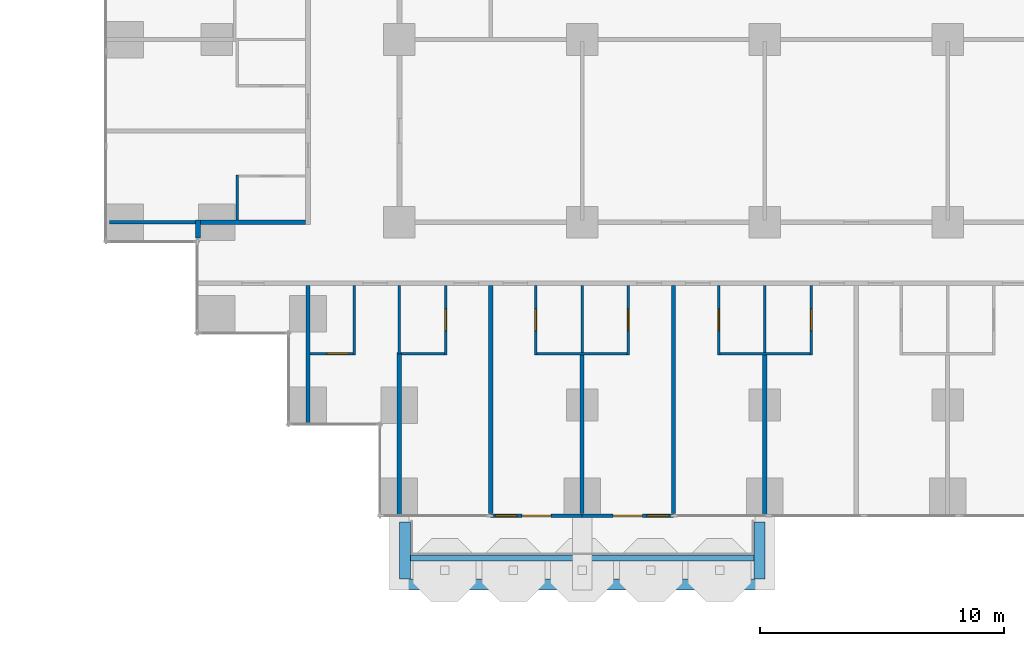
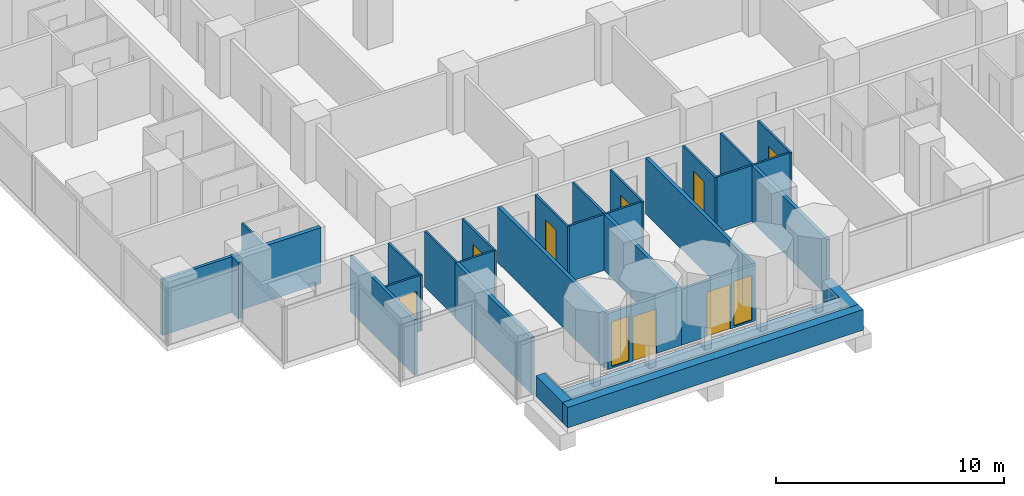
# One storey, part 10 of 19: 29 walls, 8 doors, 2 windows, 10 openings.
"""IFC4 building model written with IfcOpenShell, lengths in metres."""

from ifc_helpers import new_model, si_unit, direction, frame, frame_2d, origin, place, context, subcontext, project, spatial, rectangle, extrude, material, layer, layer_set, type_object, element, fill, save


model = new_model("IFC4")

# Units and contexts
model_context = context("Model", 3, precision=1e-05, world=origin(), true_north=direction((0.0, 1.0)))
body_context = subcontext(model_context, "Body", "Model", "MODEL_VIEW")
ifc_project = project(units=[si_unit("LENGTHUNIT", "METRE"), si_unit("AREAUNIT", "SQUARE_METRE"), si_unit("VOLUMEUNIT", "CUBIC_METRE"), si_unit("PLANEANGLEUNIT", "RADIAN"), si_unit("MASSUNIT", "GRAM", prefix="KILO")], contexts=[model_context])

# Site, building, storey
site_placement = place(None, origin())
site = spatial("IfcSite", under=ifc_project, at=site_placement, CompositionType="ELEMENT")
building_placement = place(site_placement, origin())
building = spatial("IfcBuilding", under=site, at=building_placement, Name="Pilkhan Gate Tower", CompositionType="ELEMENT")
storey_placement = place(building_placement, frame((0.0, 0.0, 89.0)))
storey = spatial("IfcBuildingStorey", under=building, at=storey_placement, Name="L21", CompositionType="ELEMENT", Elevation=89.0)

# Walls
ifc_material_1 = material(Name="Dense blockwork", Category="masonry")
ifc_layer_1 = layer(ifc_material_1, 0.175048828125)
ifc_layer_set_1 = layer_set([ifc_layer_1], Name="Acoustic party wall PW175")
wall_type_1 = type_object("IfcWallType", Name="Acoustic party wall PW175", PredefinedType="PARTITIONING", material=ifc_layer_set_1)
wall_1_placement = place(storey_placement, frame((60.0, 40.485107421875, 0.0), z_axis=(0.0, 0.0, 1.0), x_axis=(0.0, 1.0, 0.0)))
element("IfcWall", 1, at=wall_1_placement, inside=storey, type_object=wall_type_1, Name="Partition L21", PredefinedType="PARTITIONING", context=body_context, shape_type="SweptSolid", body=[
    extrude(rectangle(XDim=6.664794921875, YDim=0.175048828125, at=frame_2d((3.33251953125, 0.0))), origin(), (0.0, 0.0, 1.0), 3.0),
])
wall_2_placement = place(storey_placement, frame((63.75, 40.5400390625, 0.0), z_axis=(0.0, 0.0, 1.0), x_axis=(0.0, 1.0, 0.0)))
element("IfcWall", 2, at=wall_2_placement, inside=storey, type_object=wall_type_1, Name="Partition L21", PredefinedType="PARTITIONING", context=body_context, shape_type="SweptSolid", body=[
    extrude(rectangle(XDim=9.35986328125, YDim=0.175048828125, at=frame_2d((4.679931640625, 0.0))), origin(), (0.0, 0.0, 1.0), 3.0),
])
wall_3_placement = place(storey_placement, frame((67.5, 40.5400390625, 0.0), z_axis=(0.0, 0.0, 1.0), x_axis=(0.0, 1.0, 0.0)))
element("IfcWall", 3, at=wall_3_placement, inside=storey, type_object=wall_type_1, Name="Partition L21", PredefinedType="PARTITIONING", context=body_context, shape_type="SweptSolid", body=[
    extrude(rectangle(XDim=6.510009765625, YDim=0.175048828125, at=frame_2d((3.2548828125, 0.0))), origin(), (0.0, 0.0, 1.0), 3.0),
])
wall_4_placement = place(storey_placement, frame((71.25, 40.5400390625, 0.0), z_axis=(0.0, 0.0, 1.0), x_axis=(0.0, 1.0, 0.0)))
element("IfcWall", 4, at=wall_4_placement, inside=storey, type_object=wall_type_1, Name="Partition L21", PredefinedType="PARTITIONING", context=body_context, shape_type="SweptSolid", body=[
    extrude(rectangle(XDim=9.35986328125, YDim=0.175048828125, at=frame_2d((4.679931640625, 0.0))), origin(), (0.0, 0.0, 1.0), 3.0),
])
wall_5_placement = place(storey_placement, frame((75.0, 40.485107421875, 0.0), z_axis=(0.0, 0.0, 1.0), x_axis=(0.0, 1.0, 0.0)))
element("IfcWall", 5, at=wall_5_placement, inside=storey, type_object=wall_type_1, Name="Partition L21", PredefinedType="PARTITIONING", context=body_context, shape_type="SweptSolid", body=[
    extrude(rectangle(XDim=6.56494140625, YDim=0.175048828125, at=frame_2d((3.282470703125, 0.0))), origin(), (0.0, 0.0, 1.0), 3.0),
])
ifc_material_2 = material(Name="Concrete C40/50", Category="concrete")
ifc_layer_2 = layer(ifc_material_2, 0.25)
ifc_layer_set_2 = layer_set([ifc_layer_2], Name="Balcony planter BP250")
wall_type_2 = type_object("IfcWallType", Name="Balcony planter BP250", PredefinedType="USERDEFINED", material=ifc_layer_set_2)
wall_6_placement = place(storey_placement, frame((60.449951171875, 38.72509765625, 0.0), z_axis=(0.0, 0.0, 1.0), x_axis=(1.0, 0.0, 0.0)))
element("IfcWall", 6, at=wall_6_placement, inside=storey, type_object=wall_type_2, Name="Balcony planter L21 S", ObjectType="BALCONY PLANTER", PredefinedType="USERDEFINED", context=body_context, shape_type="SweptSolid", body=[
    extrude(rectangle(XDim=14.10009765625, YDim=0.25, at=frame_2d((7.050048828125, 0.0))), origin(), (0.0, 0.0, 1.0), 1.0),
])
ifc_material_3 = material(Name="Board-marked Concrete C40/50", Category="concrete")
ifc_layer_3 = layer(ifc_material_3, 0.449951171875)
ifc_layer_set_3 = layer_set([ifc_layer_3], Name="Balcony planter lip BL450")
wall_type_3 = type_object("IfcWallType", Name="Balcony planter lip BL450", PredefinedType="USERDEFINED", material=ifc_layer_set_3)
wall_7_placement = place(storey_placement, frame((60.0, 37.625, 0.0), z_axis=(0.0, 0.0, 1.0), x_axis=(1.0, 0.0, 0.0)))
element("IfcWall", 7, at=wall_7_placement, inside=storey, type_object=wall_type_3, Name="Balcony planter L21 S", ObjectType="BALCONY PLANTER", PredefinedType="USERDEFINED", context=body_context, shape_type="SweptSolid", body=[
    extrude(rectangle(XDim=15.0, YDim=0.449951171875, at=frame_2d((7.5, 0.0))), origin(), (0.0, 0.0, 1.0), 1.10009765625),
])
for number, where, z_axis, x_axis, name in (
    (8, (60.22509765625, 40.199951171875, 0.0), (0.0, 0.0, 1.0), (0.0, -1.0, 0.0), "Balcony planter L21 S"),
    (9, (74.77490234375, 40.199951171875, 0.0), (0.0, 0.0, 1.0), (0.0, -1.0, 0.0), "Balcony planter L21 S"),
):
    element("IfcWall", number, at=place(storey_placement, frame(where, z_axis=z_axis, x_axis=x_axis)), inside=storey, type_object=wall_type_3, Name=name, ObjectType="BALCONY PLANTER", PredefinedType="USERDEFINED", context=body_context, shape_type="SweptSolid", body=[
        extrude(rectangle(XDim=2.349853515625, YDim=0.449951171875, at=frame_2d((1.1748046875, 0.0))), origin(), (0.0, 0.0, 1.0), 1.10009765625),
    ])
ifc_layer_4 = layer(ifc_material_1, 0.199951171875)
ifc_layer_set_4 = layer_set([ifc_layer_4], Name="Corridor wall FW200")
wall_type_4 = type_object("IfcWallType", Name="Corridor wall FW200", PredefinedType="PARTITIONING", material=ifc_layer_set_4)
wall_8_placement = place(storey_placement, frame((51.8349609375, 52.5, 0.0), z_axis=(0.0, 0.0, 1.0), x_axis=(1.0, 0.0, 0.0)))
element("IfcWall", 10, at=wall_8_placement, inside=storey, type_object=wall_type_4, Name="Partition L21", PredefinedType="PARTITIONING", context=body_context, shape_type="SweptSolid", body=[
    extrude(rectangle(XDim=4.31494140625, YDim=0.199951171875, at=frame_2d((2.157470703125, 0.0))), origin(), (0.0, 0.0, 1.0), 3.0),
])
wall_9_placement = place(storey_placement, frame((51.735107421875, 51.85498046875, 0.0), z_axis=(0.0, 0.0, 1.0), x_axis=(0.0, 1.0, 0.0)))
element("IfcWall", 11, at=wall_9_placement, inside=storey, type_object=wall_type_4, Name="Partition L21", PredefinedType="PARTITIONING", context=body_context, shape_type="SweptSolid", body=[
    extrude(rectangle(XDim=0.7451171875, YDim=0.199951171875, at=frame_2d((0.37255859375, 0.0))), origin(), (0.0, 0.0, 1.0), 3.0),
])

# Wall, openings, door, window
ifc_material_4 = material(Name="Pale anodised aluminium, clear laminated glazing", Category="aluminium")
ifc_layer_5 = layer(ifc_material_4, 0.14990234375)
ifc_layer_set_5 = layer_set([ifc_layer_5], Name="Facade infill wall IW150")
wall_type_5 = type_object("IfcWallType", Name="Facade infill wall IW150", PredefinedType="SOLIDWALL", material=ifc_layer_set_5)
wall_10_placement = place(storey_placement, frame((63.75, 40.455078125, 0.0), z_axis=(0.0, 0.0, 1.0), x_axis=(1.0, 0.0, 0.0)))
wall_10 = element("IfcWall", 12, at=wall_10_placement, inside=storey, type_object=wall_type_5, Name="Infill wall L21 S", PredefinedType="SOLIDWALL", context=body_context, shape_type="SweptSolid", body=[
    extrude(rectangle(XDim=3.75, YDim=0.14990234375, at=frame_2d((1.875, 0.0))), origin(), (0.0, 0.0, 1.0), 3.0),
])
opening_1_placement = place(wall_10_placement, frame((0.1875, 0.0, 0.10009765625)))
opening_1 = element("IfcOpeningElement", 13, at=opening_1_placement, cuts=wall_10, Name="Opening W1", PredefinedType="OPENING", context=body_context, shape_type="SweptSolid", body=[
    extrude(rectangle(XDim=0.89990234375, YDim=2.39990234375, at=frame_2d((0.449951171875, 1.199951171875))), frame((0.0, 0.0849609375, 0.0), z_axis=(0.0, -1.0, 0.0), x_axis=(1.0, 0.0, 0.0)), (0.0, 0.0, 1.0), 0.169921875),
])
opening_2_placement = place(wall_10_placement, frame((1.27490234375, 0.0, 0.0)))
opening_2 = element("IfcOpeningElement", 14, at=opening_2_placement, cuts=wall_10, Name="Opening D1", PredefinedType="OPENING", context=body_context, shape_type="SweptSolid", body=[
    extrude(rectangle(XDim=1.199951171875, YDim=2.39990234375, at=frame_2d((0.60009765625, 1.199951171875))), frame((0.0, 0.0849609375, 0.0), z_axis=(0.0, -1.0, 0.0), x_axis=(1.0, 0.0, 0.0)), (0.0, 0.0, 1.0), 0.169921875),
])
ifc_material_5 = material(Name="Pale anodised aluminium, clear glazing", Category="aluminium")
door_type_1 = type_object("IfcDoorType", Name="Balcony door D1 1200x2400", OperationType="SINGLE_SWING_LEFT", PredefinedType="DOOR", material=ifc_material_5)
door_1_placement = place(opening_2_placement, origin())
door_1 = element("IfcDoor", 15, at=door_1_placement, inside=storey, type_object=door_type_1, Name="Balcony door L21", OperationType="SINGLE_SWING_LEFT", OverallHeight=2.39990234375, OverallWidth=1.199951171875, PredefinedType="DOOR", context=body_context, shape_type="SweptSolid", body=[
    extrude(rectangle(XDim=1.199951171875, YDim=2.39990234375, at=frame_2d((0.60009765625, 1.199951171875))), frame((0.0, 0.02490234375, 0.0), z_axis=(0.0, -1.0, 0.0), x_axis=(1.0, 0.0, 0.0)), (0.0, 0.0, 1.0), 0.050048828125),
])
fill(opening_2, door_1)
ifc_material_6 = material(Name="Pale anodised aluminium, clear double glazing", Category="aluminium")
window_type = type_object("IfcWindowType", Name="Window W1 900x2400", PartitioningType="SINGLE_PANEL", PredefinedType="WINDOW", material=ifc_material_6)
window_1_placement = place(opening_1_placement, origin())
window_1 = element("IfcWindow", 16, at=window_1_placement, inside=storey, type_object=window_type, Name="Window L21", OverallHeight=2.39990234375, OverallWidth=0.89990234375, PartitioningType="SINGLE_PANEL", PredefinedType="WINDOW", context=body_context, shape_type="SweptSolid", body=[
    extrude(rectangle(XDim=0.89990234375, YDim=2.39990234375, at=frame_2d((0.449951171875, 1.199951171875))), frame((0.0, 0.030029296875, 0.0), z_axis=(0.0, -1.0, 0.0), x_axis=(1.0, 0.0, 0.0)), (0.0, 0.0, 1.0), 0.06005859375),
])
fill(opening_1, window_1)

wall_11_placement = place(storey_placement, frame((67.5, 40.455078125, 0.0), z_axis=(0.0, 0.0, 1.0), x_axis=(1.0, 0.0, 0.0)))
wall_11 = element("IfcWall", 17, at=wall_11_placement, inside=storey, type_object=wall_type_5, Name="Infill wall L21 S", PredefinedType="SOLIDWALL", context=body_context, shape_type="SweptSolid", body=[
    extrude(rectangle(XDim=3.75, YDim=0.14990234375, at=frame_2d((1.875, 0.0))), origin(), (0.0, 0.0, 1.0), 3.0),
])
opening_3_placement = place(wall_11_placement, frame((1.27490234375, 0.0, 0.0)))
opening_3 = element("IfcOpeningElement", 18, at=opening_3_placement, cuts=wall_11, Name="Opening D1", PredefinedType="OPENING", context=body_context, shape_type="SweptSolid", body=[
    extrude(rectangle(XDim=1.199951171875, YDim=2.39990234375, at=frame_2d((0.60009765625, 1.199951171875))), frame((0.0, 0.0849609375, 0.0), z_axis=(0.0, -1.0, 0.0), x_axis=(1.0, 0.0, 0.0)), (0.0, 0.0, 1.0), 0.169921875),
])
opening_4_placement = place(wall_11_placement, frame((2.66259765625, 0.0, 0.10009765625)))
opening_4 = element("IfcOpeningElement", 19, at=opening_4_placement, cuts=wall_11, Name="Opening W1", PredefinedType="OPENING", context=body_context, shape_type="SweptSolid", body=[
    extrude(rectangle(XDim=0.89990234375, YDim=2.39990234375, at=frame_2d((0.449951171875, 1.199951171875))), frame((0.0, 0.0849609375, 0.0), z_axis=(0.0, -1.0, 0.0), x_axis=(1.0, 0.0, 0.0)), (0.0, 0.0, 1.0), 0.169921875),
])
door_2_placement = place(opening_3_placement, origin())
door_2 = element("IfcDoor", 20, at=door_2_placement, inside=storey, type_object=door_type_1, Name="Balcony door L21", OperationType="SINGLE_SWING_LEFT", OverallHeight=2.39990234375, OverallWidth=1.199951171875, PredefinedType="DOOR", context=body_context, shape_type="SweptSolid", body=[
    extrude(rectangle(XDim=1.199951171875, YDim=2.39990234375, at=frame_2d((0.60009765625, 1.199951171875))), frame((0.0, 0.02490234375, 0.0), z_axis=(0.0, -1.0, 0.0), x_axis=(1.0, 0.0, 0.0)), (0.0, 0.0, 1.0), 0.050048828125),
])
fill(opening_3, door_2)
window_2_placement = place(opening_4_placement, origin())
window_2 = element("IfcWindow", 21, at=window_2_placement, inside=storey, type_object=window_type, Name="Window L21", OverallHeight=2.39990234375, OverallWidth=0.89990234375, PartitioningType="SINGLE_PANEL", PredefinedType="WINDOW", context=body_context, shape_type="SweptSolid", body=[
    extrude(rectangle(XDim=0.89990234375, YDim=2.39990234375, at=frame_2d((0.449951171875, 1.199951171875))), frame((0.0, 0.030029296875, 0.0), z_axis=(0.0, -1.0, 0.0), x_axis=(1.0, 0.0, 0.0)), (0.0, 0.0, 1.0), 0.06005859375),
])
fill(opening_4, window_2)

# Walls
ifc_material_7 = material(Name="Blockwork partition, plastered both sides", Category="masonry")
ifc_layer_6 = layer(ifc_material_7, 0.14990234375)
ifc_layer_set_6 = layer_set([ifc_layer_6], Name="Partition PW150")
wall_type_6 = type_object("IfcWallType", Name="Partition PW150", PredefinedType="PARTITIONING", material=ifc_layer_set_6)
wall_12_placement = place(storey_placement, frame((48.10498046875, 52.5, 0.0), z_axis=(0.0, 0.0, 1.0), x_axis=(1.0, 0.0, 0.0)))
element("IfcWall", 22, at=wall_12_placement, inside=storey, type_object=wall_type_6, Name="Partition L21", PredefinedType="PARTITIONING", context=body_context, shape_type="SweptSolid", body=[
    extrude(rectangle(XDim=3.530029296875, YDim=0.14990234375, at=frame_2d((1.76513671875, 0.0))), origin(), (0.0, 0.0, 1.0), 3.0),
])
wall_13_placement = place(storey_placement, frame((56.25, 44.235107421875, 0.0), z_axis=(0.0, 0.0, 1.0), x_axis=(0.0, 1.0, 0.0)))
element("IfcWall", 23, at=wall_13_placement, inside=storey, type_object=wall_type_6, Name="Partition L21", PredefinedType="PARTITIONING", context=body_context, shape_type="SweptSolid", body=[
    extrude(rectangle(XDim=5.664794921875, YDim=0.14990234375, at=frame_2d((2.83251953125, 0.0))), origin(), (0.0, 0.0, 1.0), 3.0),
])

# Wall, opening, door
ifc_material_8 = material(Name="Moisture resistant board, tiled")
ifc_layer_7 = layer(ifc_material_8, 0.10009765625)
ifc_layer_set_7 = layer_set([ifc_layer_7], Name="Wet wall PW100")
wall_type_7 = type_object("IfcWallType", Name="Wet wall PW100", PredefinedType="PARTITIONING", material=ifc_layer_set_7)
wall_14_placement = place(storey_placement, frame((56.324951171875, 47.10009765625, 0.0), z_axis=(0.0, 0.0, 1.0), x_axis=(1.0, 0.0, 0.0)))
wall_14 = element("IfcWall", 24, at=wall_14_placement, inside=storey, type_object=wall_type_7, Name="Partition L21", PredefinedType="PARTITIONING", context=body_context, shape_type="SweptSolid", body=[
    extrude(rectangle(XDim=1.775146484375, YDim=0.10009765625, at=frame_2d((0.8876953125, 0.0))), origin(), (0.0, 0.0, 1.0), 3.0),
])
opening_5_placement = place(wall_14_placement, frame((0.699951171875, 0.0, 0.0)))
opening_5 = element("IfcOpeningElement", 25, at=opening_5_placement, cuts=wall_14, Name="Opening L21-07", PredefinedType="OPENING", context=body_context, shape_type="SweptSolid", body=[
    extrude(rectangle(XDim=0.89990234375, YDim=2.199951171875, at=frame_2d((0.449951171875, 1.10009765625))), frame((0.0, 0.06005859375, 0.0), z_axis=(0.0, -1.0, 0.0), x_axis=(1.0, 0.0, 0.0)), (0.0, 0.0, 1.0), 0.1201171875),
])
ifc_material_9 = material(Name="Timber flush door", Category="wood")
door_type_2 = type_object("IfcDoorType", Name="Bathroom door D02 900x2200", OperationType="SINGLE_SWING_RIGHT", PredefinedType="DOOR", material=ifc_material_9)
door_3_placement = place(opening_5_placement, origin())
door_3 = element("IfcDoor", 26, at=door_3_placement, inside=storey, type_object=door_type_2, Name="Bathroom door", OperationType="SINGLE_SWING_RIGHT", OverallHeight=2.199951171875, OverallWidth=0.89990234375, PredefinedType="DOOR", context=body_context, shape_type="SweptSolid", body=[
    extrude(rectangle(XDim=0.89990234375, YDim=2.199951171875, at=frame_2d((0.449951171875, 1.10009765625))), frame((0.0, 0.02490234375, 0.0), z_axis=(0.0, -1.0, 0.0), x_axis=(1.0, 0.0, 0.0)), (0.0, 0.0, 1.0), 0.050048828125),
])
fill(opening_5, door_3)

# Walls
wall_15_placement = place(storey_placement, frame((60.087890625, 47.10009765625, 0.0), z_axis=(0.0, 0.0, 1.0), x_axis=(1.0, 0.0, 0.0)))
element("IfcWall", 27, at=wall_15_placement, inside=storey, type_object=wall_type_7, Name="Partition L21", PredefinedType="PARTITIONING", context=body_context, shape_type="SweptSolid", body=[
    extrude(rectangle(XDim=1.76220703125, YDim=0.10009765625, at=frame_2d((0.881103515625, 0.0))), origin(), (0.0, 0.0, 1.0), 3.0),
])
for number, where, z_axis, x_axis, name in (
    (28, (65.64990234375, 47.10009765625, 0.0), (0.0, 0.0, 1.0), (1.0, 0.0, 0.0), "Partition L21"),
    (29, (73.14990234375, 47.10009765625, 0.0), (0.0, 0.0, 1.0), (1.0, 0.0, 0.0), "Partition L21"),
):
    element("IfcWall", number, at=place(storey_placement, frame(where, z_axis=z_axis, x_axis=x_axis)), inside=storey, type_object=wall_type_7, Name=name, PredefinedType="PARTITIONING", context=body_context, shape_type="SweptSolid", body=[
        extrude(rectangle(XDim=3.7001953125, YDim=0.10009765625, at=frame_2d((1.85009765625, 0.0))), origin(), (0.0, 0.0, 1.0), 3.0),
    ])
wall_16_placement = place(storey_placement, frame((53.35009765625, 52.60009765625, 0.0), z_axis=(0.0, 0.0, 1.0), x_axis=(0.0, 1.0, 0.0)))
element("IfcWall", 30, at=wall_16_placement, inside=storey, type_object=wall_type_7, Name="Partition L21", PredefinedType="PARTITIONING", context=body_context, shape_type="SweptSolid", body=[
    extrude(rectangle(XDim=1.849853515625, YDim=0.10009765625, at=frame_2d((0.9248046875, 0.0))), origin(), (0.0, 0.0, 1.0), 3.0),
])
wall_17_placement = place(storey_placement, frame((58.14990234375, 47.050048828125, 0.0), z_axis=(0.0, 0.0, 1.0), x_axis=(0.0, 1.0, 0.0)))
element("IfcWall", 31, at=wall_17_placement, inside=storey, type_object=wall_type_7, Name="Partition L21", PredefinedType="PARTITIONING", context=body_context, shape_type="SweptSolid", body=[
    extrude(rectangle(XDim=2.849853515625, YDim=0.10009765625, at=frame_2d((1.4248046875, 0.0))), origin(), (0.0, 0.0, 1.0), 3.0),
])
wall_18_placement = place(storey_placement, frame((60.0, 47.10009765625, 0.0), z_axis=(0.0, 0.0, 1.0), x_axis=(0.0, 1.0, 0.0)))
element("IfcWall", 32, at=wall_18_placement, inside=storey, type_object=wall_type_7, Name="Partition L21", PredefinedType="PARTITIONING", context=body_context, shape_type="SweptSolid", body=[
    extrude(rectangle(XDim=2.7998046875, YDim=0.10009765625, at=frame_2d((1.39990234375, 0.0))), origin(), (0.0, 0.0, 1.0), 3.0),
])

# Wall, opening, door
wall_19_placement = place(storey_placement, frame((61.89990234375, 47.050048828125, 0.0), z_axis=(0.0, 0.0, 1.0), x_axis=(0.0, 1.0, 0.0)))
wall_19 = element("IfcWall", 33, at=wall_19_placement, inside=storey, type_object=wall_type_7, Name="Partition L21", PredefinedType="PARTITIONING", context=body_context, shape_type="SweptSolid", body=[
    extrude(rectangle(XDim=2.849853515625, YDim=0.10009765625, at=frame_2d((1.4248046875, 0.0))), origin(), (0.0, 0.0, 1.0), 3.0),
])
opening_6_placement = place(wall_19_placement, frame((1.0, 0.0, 0.0)))
opening_6 = element("IfcOpeningElement", 34, at=opening_6_placement, cuts=wall_19, Name="Opening L21-09", PredefinedType="OPENING", context=body_context, shape_type="SweptSolid", body=[
    extrude(rectangle(XDim=0.89990234375, YDim=2.199951171875, at=frame_2d((0.449951171875, 1.10009765625))), frame((0.0, 0.06005859375, 0.0), z_axis=(0.0, -1.0, 0.0), x_axis=(1.0, 0.0, 0.0)), (0.0, 0.0, 1.0), 0.1201171875),
])
door_4_placement = place(opening_6_placement, origin())
door_4 = element("IfcDoor", 35, at=door_4_placement, inside=storey, type_object=door_type_2, Name="Bathroom door", OperationType="SINGLE_SWING_RIGHT", OverallHeight=2.199951171875, OverallWidth=0.89990234375, PredefinedType="DOOR", context=body_context, shape_type="SweptSolid", body=[
    extrude(rectangle(XDim=0.89990234375, YDim=2.199951171875, at=frame_2d((0.449951171875, 1.10009765625))), frame((0.0, 0.02490234375, 0.0), z_axis=(0.0, -1.0, 0.0), x_axis=(1.0, 0.0, 0.0)), (0.0, 0.0, 1.0), 0.050048828125),
])
fill(opening_6, door_4)

wall_20_placement = place(storey_placement, frame((65.60009765625, 47.050048828125, 0.0), z_axis=(0.0, 0.0, 1.0), x_axis=(0.0, 1.0, 0.0)))
wall_20 = element("IfcWall", 36, at=wall_20_placement, inside=storey, type_object=wall_type_7, Name="Partition L21", PredefinedType="PARTITIONING", context=body_context, shape_type="SweptSolid", body=[
    extrude(rectangle(XDim=2.849853515625, YDim=0.10009765625, at=frame_2d((1.4248046875, 0.0))), origin(), (0.0, 0.0, 1.0), 3.0),
])
opening_7_placement = place(wall_20_placement, frame((1.0, 0.0, 0.0)))
opening_7 = element("IfcOpeningElement", 37, at=opening_7_placement, cuts=wall_20, Name="Opening L21-11", PredefinedType="OPENING", context=body_context, shape_type="SweptSolid", body=[
    extrude(rectangle(XDim=0.89990234375, YDim=2.199951171875, at=frame_2d((0.449951171875, 1.10009765625))), frame((0.0, 0.06005859375, 0.0), z_axis=(0.0, -1.0, 0.0), x_axis=(1.0, 0.0, 0.0)), (0.0, 0.0, 1.0), 0.1201171875),
])
door_5_placement = place(opening_7_placement, origin())
door_5 = element("IfcDoor", 38, at=door_5_placement, inside=storey, type_object=door_type_2, Name="Bathroom door", OperationType="SINGLE_SWING_RIGHT", OverallHeight=2.199951171875, OverallWidth=0.89990234375, PredefinedType="DOOR", context=body_context, shape_type="SweptSolid", body=[
    extrude(rectangle(XDim=0.89990234375, YDim=2.199951171875, at=frame_2d((0.449951171875, 1.10009765625))), frame((0.0, 0.02490234375, 0.0), z_axis=(0.0, -1.0, 0.0), x_axis=(1.0, 0.0, 0.0)), (0.0, 0.0, 1.0), 0.050048828125),
])
fill(opening_7, door_5)

# Wall
wall_21_placement = place(storey_placement, frame((67.5, 47.14990234375, 0.0), z_axis=(0.0, 0.0, 1.0), x_axis=(0.0, 1.0, 0.0)))
element("IfcWall", 39, at=wall_21_placement, inside=storey, type_object=wall_type_7, Name="Partition L21", PredefinedType="PARTITIONING", context=body_context, shape_type="SweptSolid", body=[
    extrude(rectangle(XDim=2.75, YDim=0.10009765625, at=frame_2d((1.375, 0.0))), origin(), (0.0, 0.0, 1.0), 3.0),
])

# Wall, opening, door
wall_22_placement = place(storey_placement, frame((69.39990234375, 47.050048828125, 0.0), z_axis=(0.0, 0.0, 1.0), x_axis=(0.0, 1.0, 0.0)))
wall_22 = element("IfcWall", 40, at=wall_22_placement, inside=storey, type_object=wall_type_7, Name="Partition L21", PredefinedType="PARTITIONING", context=body_context, shape_type="SweptSolid", body=[
    extrude(rectangle(XDim=2.849853515625, YDim=0.10009765625, at=frame_2d((1.4248046875, 0.0))), origin(), (0.0, 0.0, 1.0), 3.0),
])
opening_8_placement = place(wall_22_placement, frame((1.0, 0.0, 0.0)))
opening_8 = element("IfcOpeningElement", 41, at=opening_8_placement, cuts=wall_22, Name="Opening L21-13", PredefinedType="OPENING", context=body_context, shape_type="SweptSolid", body=[
    extrude(rectangle(XDim=0.89990234375, YDim=2.199951171875, at=frame_2d((0.449951171875, 1.10009765625))), frame((0.0, 0.06005859375, 0.0), z_axis=(0.0, -1.0, 0.0), x_axis=(1.0, 0.0, 0.0)), (0.0, 0.0, 1.0), 0.1201171875),
])
door_6_placement = place(opening_8_placement, origin())
door_6 = element("IfcDoor", 42, at=door_6_placement, inside=storey, type_object=door_type_2, Name="Bathroom door", OperationType="SINGLE_SWING_RIGHT", OverallHeight=2.199951171875, OverallWidth=0.89990234375, PredefinedType="DOOR", context=body_context, shape_type="SweptSolid", body=[
    extrude(rectangle(XDim=0.89990234375, YDim=2.199951171875, at=frame_2d((0.449951171875, 1.10009765625))), frame((0.0, 0.02490234375, 0.0), z_axis=(0.0, -1.0, 0.0), x_axis=(1.0, 0.0, 0.0)), (0.0, 0.0, 1.0), 0.050048828125),
])
fill(opening_8, door_6)

wall_23_placement = place(storey_placement, frame((73.10009765625, 47.050048828125, 0.0), z_axis=(0.0, 0.0, 1.0), x_axis=(0.0, 1.0, 0.0)))
wall_23 = element("IfcWall", 43, at=wall_23_placement, inside=storey, type_object=wall_type_7, Name="Partition L21", PredefinedType="PARTITIONING", context=body_context, shape_type="SweptSolid", body=[
    extrude(rectangle(XDim=2.849853515625, YDim=0.10009765625, at=frame_2d((1.4248046875, 0.0))), origin(), (0.0, 0.0, 1.0), 3.0),
])
opening_9_placement = place(wall_23_placement, frame((1.0, 0.0, 0.0)))
opening_9 = element("IfcOpeningElement", 44, at=opening_9_placement, cuts=wall_23, Name="Opening L21-15", PredefinedType="OPENING", context=body_context, shape_type="SweptSolid", body=[
    extrude(rectangle(XDim=0.89990234375, YDim=2.199951171875, at=frame_2d((0.449951171875, 1.10009765625))), frame((0.0, 0.06005859375, 0.0), z_axis=(0.0, -1.0, 0.0), x_axis=(1.0, 0.0, 0.0)), (0.0, 0.0, 1.0), 0.1201171875),
])
door_7_placement = place(opening_9_placement, origin())
door_7 = element("IfcDoor", 45, at=door_7_placement, inside=storey, type_object=door_type_2, Name="Bathroom door", OperationType="SINGLE_SWING_RIGHT", OverallHeight=2.199951171875, OverallWidth=0.89990234375, PredefinedType="DOOR", context=body_context, shape_type="SweptSolid", body=[
    extrude(rectangle(XDim=0.89990234375, YDim=2.199951171875, at=frame_2d((0.449951171875, 1.10009765625))), frame((0.0, 0.02490234375, 0.0), z_axis=(0.0, -1.0, 0.0), x_axis=(1.0, 0.0, 0.0)), (0.0, 0.0, 1.0), 0.050048828125),
])
fill(opening_9, door_7)

# Wall
wall_24_placement = place(storey_placement, frame((75.0, 47.14990234375, 0.0), z_axis=(0.0, 0.0, 1.0), x_axis=(0.0, 1.0, 0.0)))
element("IfcWall", 46, at=wall_24_placement, inside=storey, type_object=wall_type_7, Name="Partition L21", PredefinedType="PARTITIONING", context=body_context, shape_type="SweptSolid", body=[
    extrude(rectangle(XDim=2.75, YDim=0.10009765625, at=frame_2d((1.375, 0.0))), origin(), (0.0, 0.0, 1.0), 3.0),
])

# Wall, opening, door
wall_25_placement = place(storey_placement, frame((76.89990234375, 47.050048828125, 0.0), z_axis=(0.0, 0.0, 1.0), x_axis=(0.0, 1.0, 0.0)))
wall_25 = element("IfcWall", 47, at=wall_25_placement, inside=storey, type_object=wall_type_7, Name="Partition L21", PredefinedType="PARTITIONING", context=body_context, shape_type="SweptSolid", body=[
    extrude(rectangle(XDim=2.849853515625, YDim=0.10009765625, at=frame_2d((1.4248046875, 0.0))), origin(), (0.0, 0.0, 1.0), 3.0),
])
opening_10_placement = place(wall_25_placement, frame((1.0, 0.0, 0.0)))
opening_10 = element("IfcOpeningElement", 48, at=opening_10_placement, cuts=wall_25, Name="Opening L21-17", PredefinedType="OPENING", context=body_context, shape_type="SweptSolid", body=[
    extrude(rectangle(XDim=0.89990234375, YDim=2.199951171875, at=frame_2d((0.449951171875, 1.10009765625))), frame((0.0, 0.06005859375, 0.0), z_axis=(0.0, -1.0, 0.0), x_axis=(1.0, 0.0, 0.0)), (0.0, 0.0, 1.0), 0.1201171875),
])
door_8_placement = place(opening_10_placement, origin())
door_8 = element("IfcDoor", 49, at=door_8_placement, inside=storey, type_object=door_type_2, Name="Bathroom door", OperationType="SINGLE_SWING_RIGHT", OverallHeight=2.199951171875, OverallWidth=0.89990234375, PredefinedType="DOOR", context=body_context, shape_type="SweptSolid", body=[
    extrude(rectangle(XDim=0.89990234375, YDim=2.199951171875, at=frame_2d((0.449951171875, 1.10009765625))), frame((0.0, 0.02490234375, 0.0), z_axis=(0.0, -1.0, 0.0), x_axis=(1.0, 0.0, 0.0)), (0.0, 0.0, 1.0), 0.050048828125),
])
fill(opening_10, door_8)

save(model, "model.ifc")
